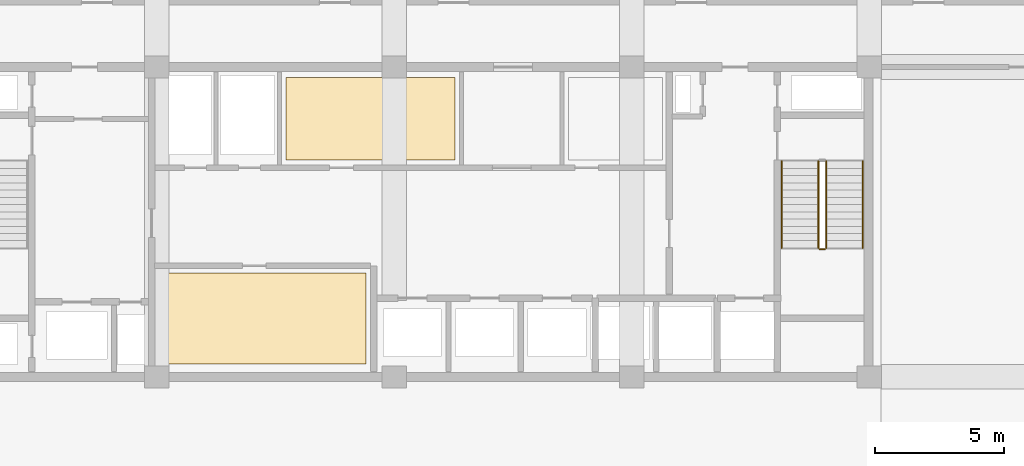
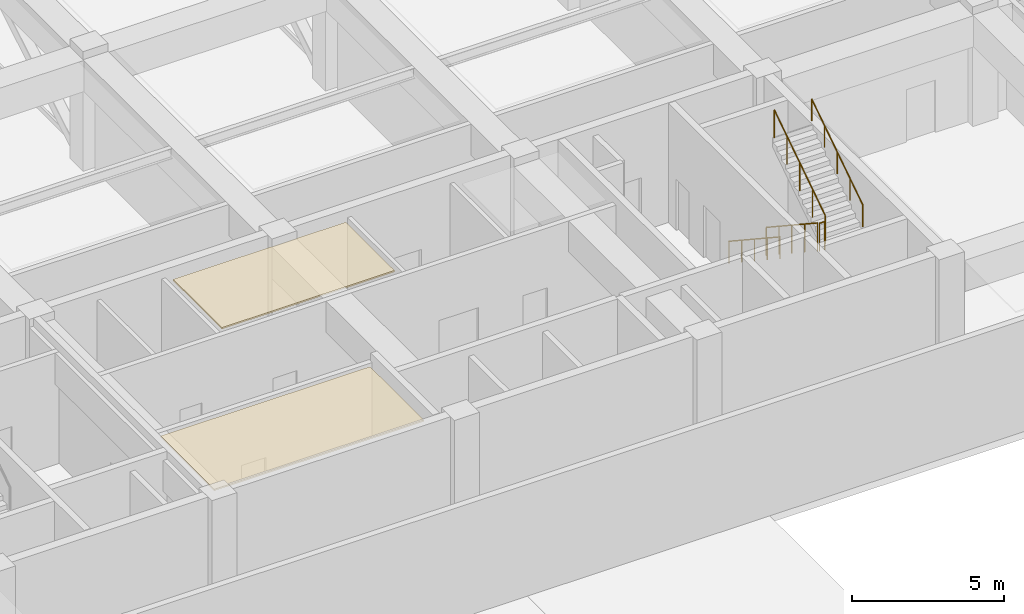
# One storey, part 20 of 22: 5 railings, 2 coverings.
"""IFC4 building model written with IfcOpenShell, lengths in metres."""

from ifc_helpers import new_model, si_unit, direction, frame, origin, origin_2d, place, context, subcontext, project, spatial, polyline, circle, outline, extrude, material, layer, layer_set, type_object, element, save


model = new_model("IFC4")

# Units and contexts
model_context = context("Model", 3, precision=1e-05, world=origin(), true_north=direction((0.0, 1.0)))
body_context = subcontext(model_context, "Body", "Model", "MODEL_VIEW")
ifc_project = project(units=[si_unit("LENGTHUNIT", "METRE"), si_unit("AREAUNIT", "SQUARE_METRE"), si_unit("VOLUMEUNIT", "CUBIC_METRE"), si_unit("PLANEANGLEUNIT", "RADIAN"), si_unit("MASSUNIT", "GRAM", prefix="KILO")], contexts=[model_context])

# Site, building, storey
site_placement = place(None, origin())
site = spatial("IfcSite", under=ifc_project, at=site_placement, CompositionType="ELEMENT")
building_placement = place(site_placement, origin())
building = spatial("IfcBuilding", under=site, at=building_placement, Name="Korimba Cascade Residences", CompositionType="ELEMENT")
storey_placement = place(building_placement, frame((0.0, 0.0, 157.300048828125)))
storey = spatial("IfcBuildingStorey", under=building, at=storey_placement, Name="L45", CompositionType="ELEMENT", Elevation=157.300048828125)

# Coverings
ifc_material_1 = material(Name="Mineral Wool Thermal Acoustic Insulation", Category="insulation")
ifc_layer = layer(ifc_material_1, 0.06005859375)
ifc_layer_set = layer_set([ifc_layer], Name="Mineral Wool Thermal Acoustic Insulation")
covering_type = type_object("IfcCoveringType", Name="COV-INS-60", PredefinedType="INSULATION", material=ifc_layer_set)
covering_1_placement = place(storey_placement, frame((0.0, 0.0, 4.419921875)))
element("IfcCovering", 1, at=covering_1_placement, inside=storey, type_object=covering_type, Name="L45 Mineral Wool Acoustic Soffit Insulation L45-SR1", PredefinedType="INSULATION", context=body_context, shape_type="SweptSolid", body=[
    extrude(outline(polyline([(84.64990234375, 55.699951171875), (92.60009765625, 55.699951171875), (92.60009765625, 59.22998046875), (84.64990234375, 59.22998046875), (84.64990234375, 55.699951171875)])), origin(), (0.0, 0.0, 1.0), 0.06005859375),
])
covering_2_placement = place(storey_placement, frame((0.0, 0.0, 4.419921875)))
element("IfcCovering", 2, at=covering_2_placement, inside=storey, type_object=covering_type, Name="L45 Mineral Wool Acoustic Soffit Insulation L45-HK1", PredefinedType="INSULATION", context=body_context, shape_type="SweptSolid", body=[
    extrude(outline(polyline([(89.5, 63.60009765625), (96.050048828125, 63.60009765625), (96.050048828125, 66.800048828125), (89.5, 66.800048828125), (89.5, 63.60009765625)])), origin(), (0.0, 0.0, 1.0), 0.06005859375),
])

# Railings
ifc_material_2 = material(Name="Painted Steel Stairwell Guardrail", Category="steel")
railing_type_1 = type_object("IfcRailingType", Name="RLG-ST-GD1150", PredefinedType="GUARDRAIL", material=ifc_material_2)
railing_1_placement = place(storey_placement, frame((110.1298828125, 63.550048828125, 0.1845703125)))
element("IfcRailing", 3, at=railing_1_placement, inside=storey, type_object=railing_type_1, Name="L45 ST-W2 stair guard 1", PredefinedType="GUARDRAIL", context=body_context, shape_type="SweptSolid", body=[
    extrude(circle(Radius=0.02392578125, at=origin_2d()), frame((0.0, 0.0, 1.1259765625), z_axis=(0.0, -0.834876476806, 0.550437342915), x_axis=(1.0, 0.0, 0.0)), (0.0, 0.0, 1.0), 4.024658203125),
    extrude(circle(Radius=0.02099609375, at=origin_2d()), origin(), (0.0, 0.0, 1.0), 1.101806640625),
    extrude(circle(Radius=0.02099609375, at=origin_2d()), frame((0.0, -0.840087890625, 0.5537109375)), (0.0, 0.0, 1.0), 1.101806640625),
    extrude(circle(Radius=0.02099609375, at=origin_2d()), frame((0.0, -1.68017578125, 1.107666015625)), (0.0, 0.0, 1.0), 1.101806640625),
    extrude(circle(Radius=0.02099609375, at=origin_2d()), frame((0.0, -2.52001953125, 1.66162109375)), (0.0, 0.0, 1.0), 1.101806640625),
    extrude(circle(Radius=0.02099609375, at=origin_2d()), frame((0.0, -3.360107421875, 2.21533203125)), (0.0, 0.0, 1.0), 1.101806640625),
])
railing_2_placement = place(storey_placement, frame((110.179931640625, 60.139892578125, 2.39990234375)))
element("IfcRailing", 4, at=railing_2_placement, inside=storey, type_object=railing_type_1, Name="L45 ST-W2 stair guard 2", PredefinedType="GUARDRAIL", context=body_context, shape_type="SweptSolid", body=[
    extrude(circle(Radius=0.02392578125, at=origin_2d()), frame((0.0, 0.0, 1.1259765625), z_axis=(1.0, 0.0, 0.0), x_axis=(0.0, 1.0, 0.0)), (0.0, 0.0, 1.0), 0.199951171875),
    extrude(circle(Radius=0.02099609375, at=origin_2d()), origin(), (0.0, 0.0, 1.0), 1.101806640625),
    extrude(circle(Radius=0.02099609375, at=origin_2d()), frame((0.199951171875, 0.0, 0.0)), (0.0, 0.0, 1.0), 1.101806640625),
])
railing_3_placement = place(storey_placement, frame((110.429931640625, 60.18994140625, 2.58447265625)))
element("IfcRailing", 5, at=railing_3_placement, inside=storey, type_object=railing_type_1, Name="L45 ST-W2 stair guard 3", PredefinedType="GUARDRAIL", context=body_context, shape_type="SweptSolid", body=[
    extrude(circle(Radius=0.02392578125, at=origin_2d()), frame((0.0, 0.0, 1.1259765625), z_axis=(0.0, 0.834848600103, 0.550479622607), x_axis=(-1.0, 0.0, 0.0)), (0.0, 0.0, 1.0), 4.02490234375),
    extrude(circle(Radius=0.02099609375, at=origin_2d()), origin(), (0.0, 0.0, 1.0), 1.101806640625),
    extrude(circle(Radius=0.02099609375, at=origin_2d()), frame((0.0, 0.840087890625, 0.553955078125)), (0.0, 0.0, 1.0), 1.101806640625),
    extrude(circle(Radius=0.02099609375, at=origin_2d()), frame((0.0, 1.68017578125, 1.10791015625)), (0.0, 0.0, 1.0), 1.101806640625),
    extrude(circle(Radius=0.02099609375, at=origin_2d()), frame((0.0, 2.52001953125, 1.66162109375)), (0.0, 0.0, 1.0), 1.101806640625),
    extrude(circle(Radius=0.02099609375, at=origin_2d()), frame((0.0, 3.360107421875, 2.215576171875)), (0.0, 0.0, 1.0), 1.101806640625),
])
ifc_material_3 = material(Name="Brushed Stainless Steel Handrail", Category="steel")
railing_type_2 = type_object("IfcRailingType", Name="RLG-ST-HR900", PredefinedType="HANDRAIL", material=ifc_material_3)
railing_4_placement = place(storey_placement, frame((108.7099609375, 63.550048828125, 0.373046875)))
element("IfcRailing", 6, at=railing_4_placement, inside=storey, type_object=railing_type_2, Name="L45 ST-W2 stair handrail 1", PredefinedType="HANDRAIL", context=body_context, shape_type="SweptSolid", body=[
    extrude(circle(Radius=0.02392578125, at=origin_2d()), frame((0.0, 0.0, 0.8759765625), z_axis=(0.0, -0.834848600103, 0.550479622607), x_axis=(1.0, 0.0, 0.0)), (0.0, 0.0, 1.0), 4.02490234375),
    extrude(circle(Radius=0.02099609375, at=origin_2d()), origin(), (0.0, 0.0, 1.0), 0.851806640625),
    extrude(circle(Radius=0.02099609375, at=origin_2d()), frame((0.0, -0.840087890625, 0.553955078125)), (0.0, 0.0, 1.0), 0.851806640625),
    extrude(circle(Radius=0.02099609375, at=origin_2d()), frame((0.0, -1.68017578125, 1.10791015625)), (0.0, 0.0, 1.0), 0.851806640625),
    extrude(circle(Radius=0.02099609375, at=origin_2d()), frame((0.0, -2.52001953125, 1.66162109375)), (0.0, 0.0, 1.0), 0.851806640625),
    extrude(circle(Radius=0.02099609375, at=origin_2d()), frame((0.0, -3.360107421875, 2.215576171875)), (0.0, 0.0, 1.0), 0.851806640625),
])
railing_5_placement = place(storey_placement, frame((111.85009765625, 60.18994140625, 2.773193359375)))
element("IfcRailing", 7, at=railing_5_placement, inside=storey, type_object=railing_type_2, Name="L45 ST-W2 stair handrail 2", PredefinedType="HANDRAIL", context=body_context, shape_type="SweptSolid", body=[
    extrude(circle(Radius=0.02392578125, at=origin_2d()), frame((0.0, 0.0, 0.8759765625), z_axis=(0.0, 0.834876476806, 0.550437342915), x_axis=(-1.0, 0.0, 0.0)), (0.0, 0.0, 1.0), 4.024658203125),
    extrude(circle(Radius=0.02099609375, at=origin_2d()), origin(), (0.0, 0.0, 1.0), 0.851806640625),
    extrude(circle(Radius=0.02099609375, at=origin_2d()), frame((0.0, 0.840087890625, 0.5537109375)), (0.0, 0.0, 1.0), 0.851806640625),
    extrude(circle(Radius=0.02099609375, at=origin_2d()), frame((0.0, 1.68017578125, 1.107666015625)), (0.0, 0.0, 1.0), 0.851806640625),
    extrude(circle(Radius=0.02099609375, at=origin_2d()), frame((0.0, 2.52001953125, 1.66162109375)), (0.0, 0.0, 1.0), 0.851806640625),
    extrude(circle(Radius=0.02099609375, at=origin_2d()), frame((0.0, 3.360107421875, 2.21533203125)), (0.0, 0.0, 1.0), 0.851806640625),
])

save(model, "model.ifc")
